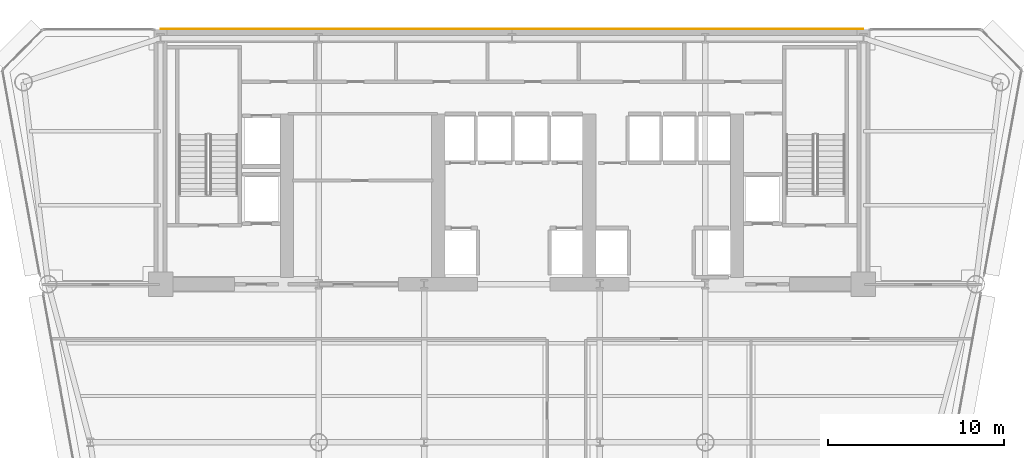
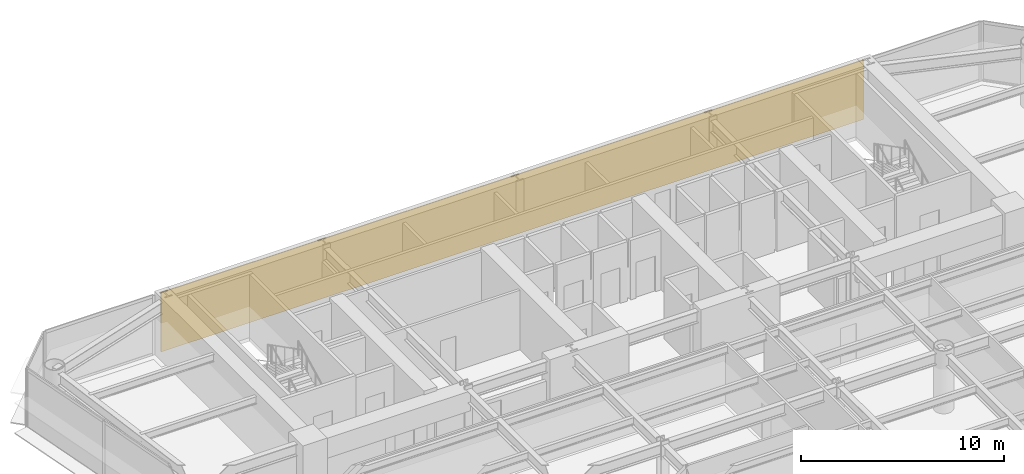
# One storey, part 13 of 14: 1 covering.
"""IFC4 building model written with IfcOpenShell, lengths in metres."""

from ifc_helpers import new_model, si_unit, direction, frame, origin, place, context, subcontext, project, spatial, polyline, outline, extrude, material, layer, layer_set, type_object, element, save


model = new_model("IFC4")

# Units and contexts
model_context = context("Model", 3, precision=1e-05, world=origin(), true_north=direction((0.0, 1.0)))
body_context = subcontext(model_context, "Body", "Model", "MODEL_VIEW")
ifc_project = project(units=[si_unit("LENGTHUNIT", "METRE"), si_unit("AREAUNIT", "SQUARE_METRE"), si_unit("VOLUMEUNIT", "CUBIC_METRE"), si_unit("PLANEANGLEUNIT", "RADIAN"), si_unit("MASSUNIT", "GRAM", prefix="KILO")], contexts=[model_context])

# Site, building, storey
site_placement = place(None, origin())
site = spatial("IfcSite", under=ifc_project, at=site_placement, CompositionType="ELEMENT")
building_placement = place(site_placement, origin())
building = spatial("IfcBuilding", under=site, at=building_placement, Name="Vaeldorn Concourse Tower", CompositionType="ELEMENT")
storey_placement = place(building_placement, frame((0.0, 0.0, 126.199951171875)))
storey = spatial("IfcBuildingStorey", under=building, at=storey_placement, Name="L32", CompositionType="ELEMENT", Elevation=126.199951171875)

# Covering
ifc_material = material(Name="Anodised Bronze Aluminium", Category="aluminium")
ifc_layer = layer(ifc_material, 0.050048828125)
ifc_layer_set = layer_set([ifc_layer], Name="Anodised Bronze Aluminium")
covering_type = type_object("IfcCoveringType", Name="COV-CLAD-BRONZE", PredefinedType="CLADDING", material=ifc_layer_set)
covering_placement = place(storey_placement, origin())
element("IfcCovering", 1, at=covering_placement, inside=storey, type_object=covering_type, Name="Rear Core Bronze Spandrel Cladding L32", PredefinedType="CLADDING", context=body_context, shape_type="SweptSolid", body=[
    extrude(outline(polyline([(14.0, 51.0), (54.0, 51.0), (54.0, 51.050048828125), (14.0, 51.050048828125), (14.0, 51.0)])), origin(), (0.0, 0.0, 1.0), 3.580078125),
])

save(model, "model.ifc")
